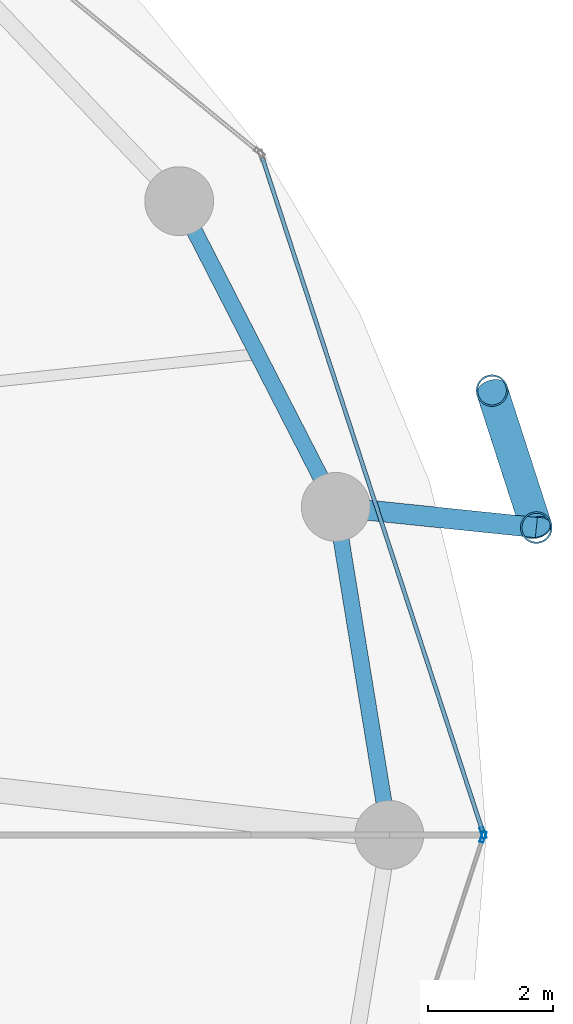
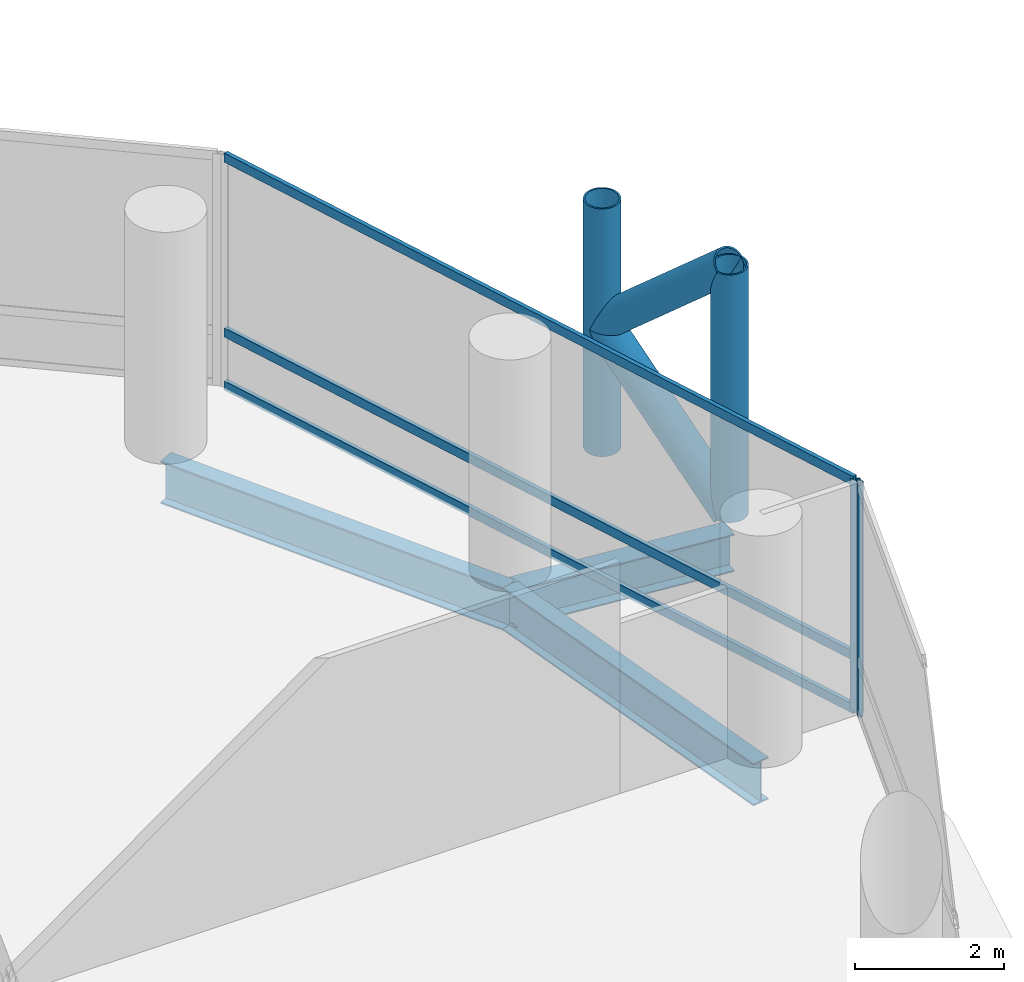
# One storey, part 12 of 24: 9 members, 3 beams, 2 elements without a shape of their own.
"""IFC4 building model written with IfcOpenShell, lengths in metres."""

from ifc_helpers import new_model, si_unit, direction, frame, origin, origin_2d, place, context, subcontext, project, spatial, hollow_rectangle, hollow_circle, i_section, extrude, material, layer, layer_set, material_profile, profile_set, type_object, element, aggregate, save


model = new_model("IFC4")

# Units and contexts
model_context = context("Model", 3, precision=1e-05, world=origin(), true_north=direction((0.0, 1.0)))
body_context = subcontext(model_context, "Body", "Model", "MODEL_VIEW")
ifc_project = project(units=[si_unit("LENGTHUNIT", "METRE"), si_unit("AREAUNIT", "SQUARE_METRE"), si_unit("VOLUMEUNIT", "CUBIC_METRE"), si_unit("PLANEANGLEUNIT", "RADIAN"), si_unit("MASSUNIT", "GRAM", prefix="KILO")], contexts=[model_context])

# Site, building, storey
site_placement = place(None, origin())
site = spatial("IfcSite", under=ifc_project, at=site_placement, CompositionType="ELEMENT")
building_placement = place(site_placement, origin())
building = spatial("IfcBuilding", under=site, at=building_placement, Name="Nuhasar Tower", CompositionType="ELEMENT")
storey_placement = place(building_placement, frame((0.0, 0.0, 33.14990234375)))
storey = spatial("IfcBuildingStorey", under=building, at=storey_placement, Name="L07", CompositionType="ELEMENT", Elevation=33.14990234375)

# Beams
ifc_material_1 = material(Name="Steel S355", Category="steel")
ifc_material_profile_1 = material_profile(ifc_material_1, i_section(OverallWidth=0.256103515625, OverallDepth=0.693115234375, WebThickness=0.014404296875, FlangeThickness=0.023681640625, at=origin_2d()), Name="W27X114")
ifc_profile_set_1 = profile_set([ifc_material_profile_1], Name="Steel S355")
beam_type_1 = type_object("IfcBeamType", Name="BM-RING-W27X114", PredefinedType="SPANDREL", material=ifc_profile_set_1)
beam_1_placement = place(storey_placement, frame((64.050048828125, 26.800048828125, -0.60595703125), z_axis=(-0.160826635486, 0.986982671235, 0.0), x_axis=(-0.986982671235, -0.160826635486, 0.0)))
element("IfcBeam", 1, at=beam_1_placement, inside=storey, type_object=beam_type_1, Name="L07 Perimeter Ring Spandrel 01", PredefinedType="SPANDREL", context=body_context, shape_type="SweptSolid", body=[
    extrude(i_section(OverallWidth=0.256103515625, OverallDepth=0.693115234375, WebThickness=0.014404296875, FlangeThickness=0.023681640625, at=origin_2d()), origin(), (0.0, 0.0, 1.0), 5.31005859375),
])
beam_2_placement = place(storey_placement, frame((63.196044921875, 32.041015625, -0.60595703125), z_axis=(-0.455930023905, 0.890015625314, 0.0), x_axis=(-0.890015625314, -0.455930023905, 0.0)))
element("IfcBeam", 2, at=beam_2_placement, inside=storey, type_object=beam_type_1, Name="L07 Perimeter Ring Spandrel 02", PredefinedType="SPANDREL", context=body_context, shape_type="SweptSolid", body=[
    extrude(i_section(OverallWidth=0.256103515625, OverallDepth=0.693115234375, WebThickness=0.014404296875, FlangeThickness=0.023681640625, at=origin_2d()), origin(), (0.0, 0.0, 1.0), 5.487548828125),
])
ifc_material_profile_2 = material_profile(ifc_material_1, i_section(OverallWidth=0.323974609375, OverallDepth=0.611083984375, WebThickness=0.0126953125, FlangeThickness=0.01904296875, at=origin_2d()), Name="W24X104")
ifc_profile_set_2 = profile_set([ifc_material_profile_2], Name="Steel S355")
beam_type_2 = type_object("IfcBeamType", Name="BM-TIE-W24X104", PredefinedType="BEAM", material=ifc_profile_set_2)
beam_3_placement = place(storey_placement, frame((63.196044921875, 32.041015625, -0.56591796875), z_axis=(0.994703825606, -0.102782777377, 0.0), x_axis=(0.102782777377, 0.994703825606, 0.0)))
element("IfcBeam", 3, at=beam_3_placement, inside=storey, type_object=beam_type_2, Name="L07 Exoskeleton Node Tie Beam 01", PredefinedType="BEAM", context=body_context, shape_type="SweptSolid", body=[
    extrude(i_section(OverallWidth=0.323974609375, OverallDepth=0.611083984375, WebThickness=0.0126953125, FlangeThickness=0.01904296875, at=origin_2d()), origin(), (0.0, 0.0, 1.0), 3.220947265625),
])

# Curtain wall, member
ifc_material_2 = material(Name="Aluminium 6063-T6", Category="aluminium")
ifc_layer = layer(ifc_material_2, 0.199951171875)
ifc_layer_set = layer_set([ifc_layer], Name="Aluminium 6063-T6")
curtain_wall_type = type_object("IfcCurtainWallType", Name="CW-Z1-OFF", PredefinedType="NOTDEFINED", material=ifc_layer_set)
curtain_wall_1_placement = place(storey_placement, origin())
curtain_wall_1 = element("IfcCurtainWall", 4, at=curtain_wall_1_placement, inside=storey, type_object=curtain_wall_type, Name="L07 Unitised Curtain Wall 01", PredefinedType="NOTDEFINED")
ifc_material_profile_3 = material_profile(ifc_material_2, hollow_rectangle(XDim=0.06494140625, YDim=0.179931640625, WallThickness=0.0048828125, at=origin_2d()), Name="CWM-2")
ifc_profile_set_3 = profile_set([ifc_material_profile_3], Name="Aluminium 6063-T6")
member_type_1 = type_object("IfcMemberType", Name="CW-MUL-S2", PredefinedType="MULLION", material=ifc_profile_set_3)
member_1_placement = place(storey_placement, frame((65.5498046875, 26.830810546875, 0.0), z_axis=(0.0, 0.0, 1.0), x_axis=(-0.950467534571, -0.310823849997, 0.0)))
member_1 = element("IfcMember", 5, at=member_1_placement, type_object=member_type_1, Name="CW-Z1 mullion 1", PredefinedType="MULLION", context=body_context, shape_type="SweptSolid", body=[
    extrude(hollow_rectangle(XDim=0.06494140625, YDim=0.179931640625, WallThickness=0.0048828125, at=origin_2d()), origin(), (0.0, 0.0, 1.0), 3.7900390625),
])

curtain_wall_2_placement = place(storey_placement, origin())
curtain_wall_2 = element("IfcCurtainWall", 6, at=curtain_wall_2_placement, inside=storey, type_object=curtain_wall_type, Name="L07 Unitised Curtain Wall 12", PredefinedType="NOTDEFINED")
member_2_placement = place(storey_placement, frame((65.5498046875, 26.76904296875, 0.0), z_axis=(0.0, 0.0, 1.0), x_axis=(-0.950467534571, 0.310823849997, 0.0)))
member_2 = element("IfcMember", 7, at=member_2_placement, type_object=member_type_1, Name="CW-Z1 mullion 2", PredefinedType="MULLION", context=body_context, shape_type="SweptSolid", body=[
    extrude(hollow_rectangle(XDim=0.06494140625, YDim=0.179931640625, WallThickness=0.0048828125, at=origin_2d()), origin(), (0.0, 0.0, 1.0), 3.7900390625),
])
aggregate(curtain_wall_2, [member_2])

# Member
ifc_material_profile_4 = material_profile(ifc_material_2, hollow_rectangle(XDim=0.06494140625, YDim=0.14990234375, WallThickness=0.00439453125, at=origin_2d()), Name="CWT-2")
ifc_profile_set_4 = profile_set([ifc_material_profile_4], Name="Aluminium 6063-T6")
member_type_2 = type_object("IfcMemberType", Name="CW-TRN-S2", PredefinedType="USERDEFINED", material=ifc_profile_set_4)
member_3_placement = place(storey_placement, frame((65.539794921875, 26.86181640625, 0.03271484375), z_axis=(-0.31082506089, 0.950467138581, 0.0), x_axis=(-0.950467138581, -0.31082506089, 0.0)))
member_3 = element("IfcMember", 8, at=member_3_placement, type_object=member_type_2, Name="CW-Z1 transom 1.1", ObjectType="TRANSOM", PredefinedType="USERDEFINED", context=body_context, shape_type="SweptSolid", body=[
    extrude(hollow_rectangle(XDim=0.06494140625, YDim=0.14990234375, WallThickness=0.00439453125, at=origin_2d()), origin(), (0.0, 0.0, 1.0), 11.31689453125),
])

member_4_placement = place(storey_placement, frame((65.539794921875, 26.86181640625, 0.900146484375), z_axis=(-0.31082506089, 0.950467138581, 0.0), x_axis=(-0.950467138581, -0.31082506089, 0.0)))
member_4 = element("IfcMember", 9, at=member_4_placement, type_object=member_type_2, Name="CW-Z1 transom 1.2", ObjectType="TRANSOM", PredefinedType="USERDEFINED", context=body_context, shape_type="SweptSolid", body=[
    extrude(hollow_rectangle(XDim=0.06494140625, YDim=0.14990234375, WallThickness=0.00439453125, at=origin_2d()), origin(), (0.0, 0.0, 1.0), 11.31689453125),
])

member_5_placement = place(storey_placement, frame((65.539794921875, 26.86181640625, 3.757568359375), z_axis=(-0.31082506089, 0.950467138581, 0.0), x_axis=(-0.950467138581, -0.31082506089, 0.0)))
member_5 = element("IfcMember", 10, at=member_5_placement, type_object=member_type_2, Name="CW-Z1 transom 1.3", ObjectType="TRANSOM", PredefinedType="USERDEFINED", context=body_context, shape_type="SweptSolid", body=[
    extrude(hollow_rectangle(XDim=0.06494140625, YDim=0.14990234375, WallThickness=0.00439453125, at=origin_2d()), origin(), (0.0, 0.0, 1.0), 11.31689453125),
])

aggregate(curtain_wall_1, [member_1, member_3, member_4, member_5])

# Members
ifc_material_3 = material(Name="Steel S460", Category="steel")
ifc_material_profile_5 = material_profile(ifc_material_3, hollow_circle(Radius=0.25390625, WallThickness=0.025390625, at=origin_2d()), Name="HSS508X25.4")
ifc_profile_set_5 = profile_set([ifc_material_profile_5], Name="Steel S460")
member_type_3 = type_object("IfcMemberType", Name="EXO-BRONZE-508", PredefinedType="BRACE", material=ifc_profile_set_5)
for number, where, z_axis, x_axis, name in (
    (11, (66.39990234375, 31.7099609375, 0.0), (0.0, 0.0, 1.0), (1.0, 0.0, 0.0), "L07 Exoskeleton Chord Column EC-01A"),
    (12, (65.69189453125, 33.89892578125, 0.0), (0.0, 0.0, 1.0), (1.0, 0.0, 0.0), "L07 Exoskeleton Chord Column EC-01B"),
):
    element("IfcMember", number, at=place(storey_placement, frame(where, z_axis=z_axis, x_axis=x_axis)), inside=storey, type_object=member_type_3, Name=name, PredefinedType="BRACE", context=body_context, shape_type="SweptSolid", body=[
        extrude(hollow_circle(Radius=0.25390625, WallThickness=0.025390625, at=origin_2d()), origin(), (0.0, 0.0, 1.0), 4.050048828125),
    ])
member_6_placement = place(storey_placement, frame((66.39990234375, 31.7099609375, 0.0), z_axis=(-0.230999678299, 0.714187281251, 0.660738734997), x_axis=(-0.951468282519, -0.307746823478, 0.0)))
element("IfcMember", 13, at=member_6_placement, inside=storey, type_object=member_type_3, Name="L07 Bronze Diagrid Brace W1-01", PredefinedType="BRACE", context=body_context, shape_type="SweptSolid", body=[
    extrude(hollow_circle(Radius=0.25390625, WallThickness=0.025390625, at=origin_2d()), origin(), (0.0, 0.0, 1.0), 3.06494140625),
])
member_7_placement = place(storey_placement, frame((65.69189453125, 33.89892578125, 2.025146484375), z_axis=(0.231011836313, -0.714224870475, 0.660693851854), x_axis=(0.951468282519, 0.307746823478, 0.0)))
element("IfcMember", 14, at=member_7_placement, inside=storey, type_object=member_type_3, Name="L07 Bronze Diagrid Brace W2-01", PredefinedType="BRACE", context=body_context, shape_type="SweptSolid", body=[
    extrude(hollow_circle(Radius=0.25390625, WallThickness=0.025390625, at=origin_2d()), origin(), (0.0, 0.0, 1.0), 3.064697265625),
])

save(model, "model.ifc")
